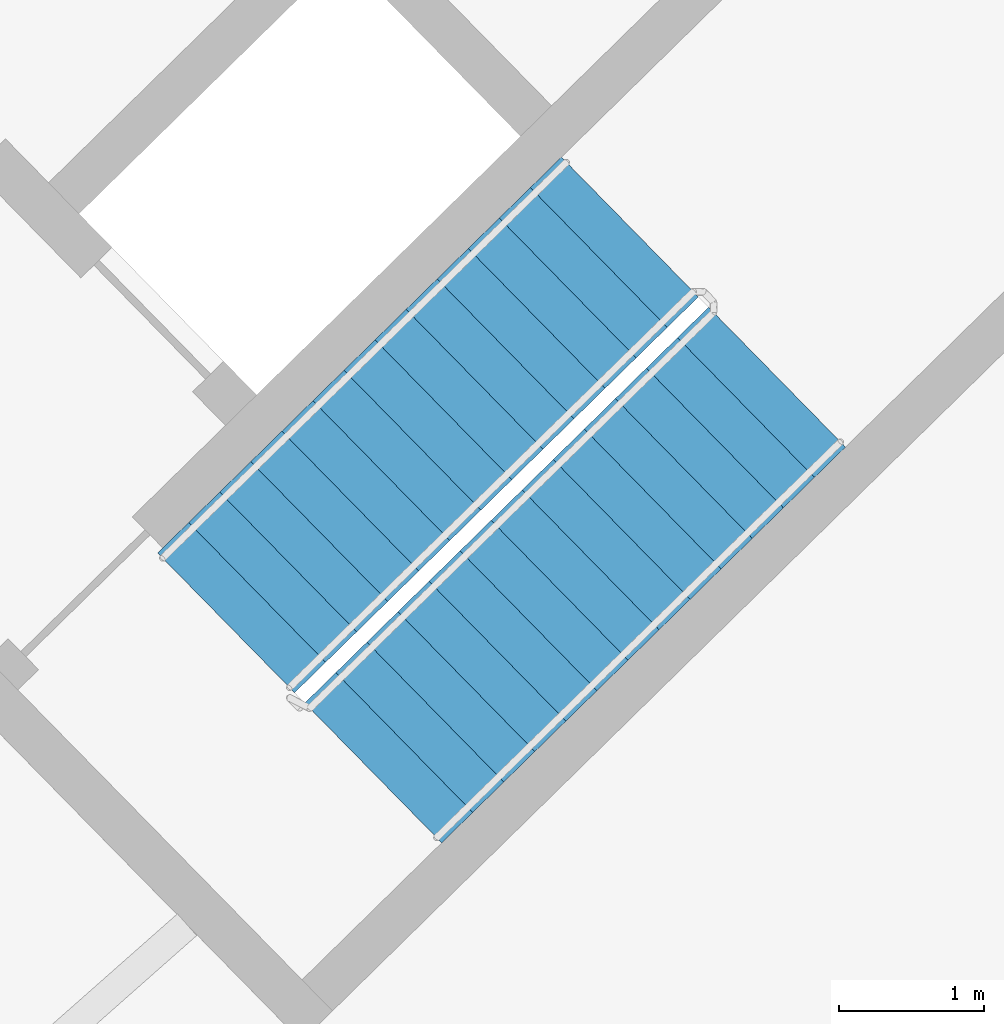
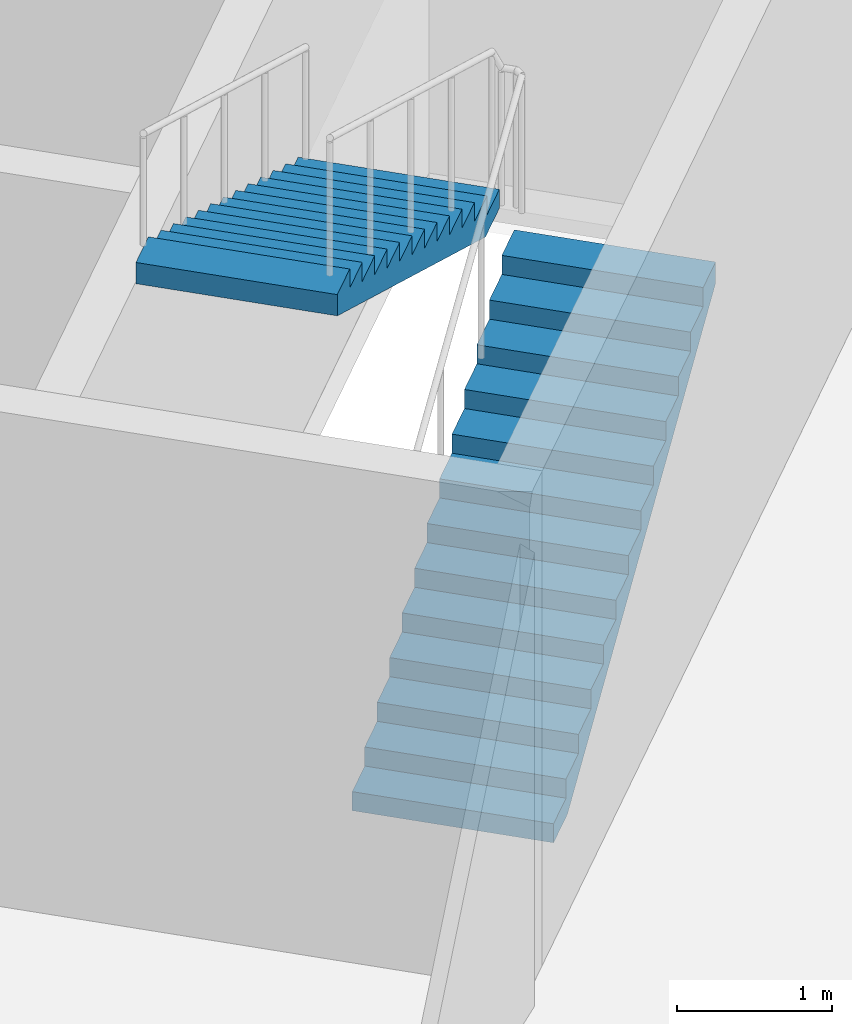
# One storey, part 10 of 12: 2 stair flights, 1 element without a shape of its own.
"""IFC4 building model written with IfcOpenShell, lengths in metres."""

from ifc_helpers import new_model, si_unit, direction, frame, origin, place, context, subcontext, project, spatial, polyline, outline, extrude, material, type_object, element, aggregate, save


model = new_model("IFC4")

# Units and contexts
model_context = context("Model", 3, precision=1e-05, world=origin(), true_north=direction((0.0, 1.0)))
body_context = subcontext(model_context, "Body", "Model", "MODEL_VIEW")
ifc_project = project(units=[si_unit("LENGTHUNIT", "METRE"), si_unit("AREAUNIT", "SQUARE_METRE"), si_unit("VOLUMEUNIT", "CUBIC_METRE"), si_unit("PLANEANGLEUNIT", "RADIAN"), si_unit("MASSUNIT", "GRAM", prefix="KILO")], contexts=[model_context])

# Site, building, storey
site_placement = place(None, origin())
site = spatial("IfcSite", under=ifc_project, at=site_placement, CompositionType="ELEMENT")
building_placement = place(site_placement, origin())
building = spatial("IfcBuilding", under=site, at=building_placement, Name="Tuul Gate Civic Tower", CompositionType="ELEMENT")
storey_placement = place(building_placement, frame((0.0, 0.0, 73.800048828125)))
storey = spatial("IfcBuildingStorey", under=building, at=storey_placement, Name="Level 16", CompositionType="ELEMENT", Elevation=73.800048828125)

# Stair, stair flights
ifc_material_1 = material(Name="Concrete C40/50", Category="concrete")
stair_type = type_object("IfcStairType", Name="Exit stair", PredefinedType="HALF_TURN_STAIR", material=ifc_material_1)
stair_placement = place(storey_placement, origin())
stair = element("IfcStair", 1, at=stair_placement, inside=storey, type_object=stair_type, Name="Level 16 ST-3", PredefinedType="HALF_TURN_STAIR")
ifc_material_2 = material(Name="Concrete C40/50", Category="concrete")
stair_flight_type = type_object("IfcStairFlightType", Name="Exit stair flight", PredefinedType="STRAIGHT", material=ifc_material_2)
stair_flight_1_placement = place(storey_placement, frame((48.61376953125, -16.581787109375, 0.0), z_axis=(0.0, 0.0, 1.0), x_axis=(0.714127290059, 0.700015866672, 0.0)))
stair_flight_1 = element("IfcStairFlight", 2, at=stair_flight_1_placement, type_object=stair_flight_type, Name="ST-3 flight 1", NumberOfRisers=14, NumberOfTreads=13, PredefinedType="STRAIGHT", RiserHeight=0.15, TreadLength=0.3, context=body_context, shape_type="SweptSolid", body=[
    extrude(outline(polyline([(0.0, 0.0), (0.0, 0.14990234375), (0.300048828125, 0.14990234375), (0.300048828125, 0.300048828125), (0.60009765625, 0.300048828125), (0.60009765625, 0.449951171875), (0.89990234375, 0.449951171875), (0.89990234375, 0.60009765625), (1.199951171875, 0.60009765625), (1.199951171875, 0.75), (1.5, 0.75), (1.5, 0.89990234375), (1.800048828125, 0.89990234375), (1.800048828125, 1.050048828125), (2.10009765625, 1.050048828125), (2.10009765625, 1.199951171875), (2.39990234375, 1.199951171875), (2.39990234375, 1.35009765625), (2.699951171875, 1.35009765625), (2.699951171875, 1.5), (3.0, 1.5), (3.0, 1.64990234375), (3.300048828125, 1.64990234375), (3.300048828125, 1.800048828125), (3.60009765625, 1.800048828125), (3.60009765625, 1.949951171875), (3.89990234375, 1.949951171875), (3.89990234375, 2.10009765625), (3.89990234375, 1.782470703125), (0.335205078125, 0.0), (0.0, 0.0)])), frame((0.0, 0.675048828125, 0.0), z_axis=(0.0, -1.0, 0.0), x_axis=(1.0, 0.0, 0.0)), (0.0, 0.0, 1.0), 1.35009765625),
])
stair_flight_2_placement = place(storey_placement, frame((50.3837890625, -12.816162109375, 2.099853515625), z_axis=(0.0, 0.0, 1.0), x_axis=(-0.714127290059, -0.700015866672, 0.0)))
stair_flight_2 = element("IfcStairFlight", 3, at=stair_flight_2_placement, type_object=stair_flight_type, Name="ST-3 flight 2", NumberOfRisers=14, NumberOfTreads=13, PredefinedType="STRAIGHT", RiserHeight=0.15, TreadLength=0.3, context=body_context, shape_type="SweptSolid", body=[
    extrude(outline(polyline([(0.0, 0.0), (0.0, 0.14990234375), (0.300048828125, 0.14990234375), (0.300048828125, 0.300048828125), (0.60009765625, 0.300048828125), (0.60009765625, 0.449951171875), (0.89990234375, 0.449951171875), (0.89990234375, 0.60009765625), (1.199951171875, 0.60009765625), (1.199951171875, 0.75), (1.5, 0.75), (1.5, 0.89990234375), (1.800048828125, 0.89990234375), (1.800048828125, 1.050048828125), (2.10009765625, 1.050048828125), (2.10009765625, 1.199951171875), (2.39990234375, 1.199951171875), (2.39990234375, 1.35009765625), (2.699951171875, 1.35009765625), (2.699951171875, 1.5), (3.0, 1.5), (3.0, 1.64990234375), (3.300048828125, 1.64990234375), (3.300048828125, 1.800048828125), (3.60009765625, 1.800048828125), (3.60009765625, 1.949951171875), (3.89990234375, 1.949951171875), (3.89990234375, 2.10009765625), (3.89990234375, 1.782470703125), (0.335205078125, 0.0), (0.0, 0.0)])), frame((0.0, 0.675048828125, 0.0), z_axis=(0.0, -1.0, 0.0), x_axis=(1.0, 0.0, 0.0)), (0.0, 0.0, 1.0), 1.35009765625),
])
aggregate(stair, [stair_flight_1, stair_flight_2])

save(model, "model.ifc")
